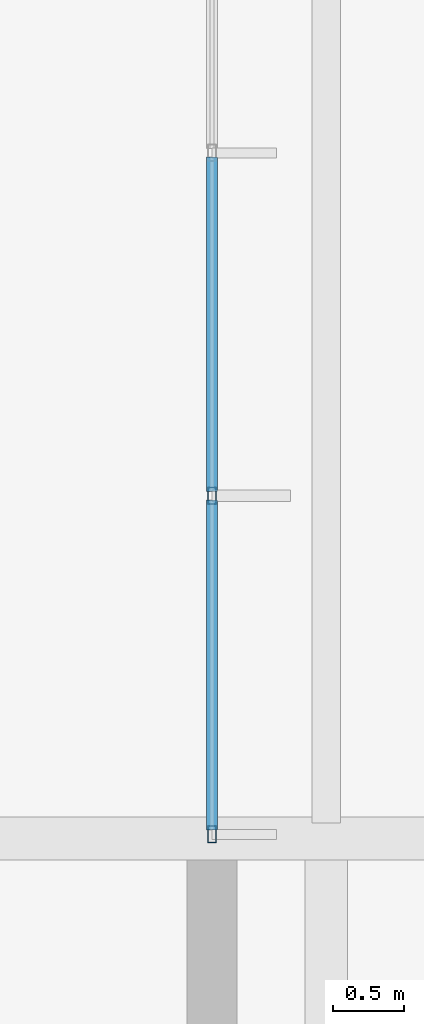
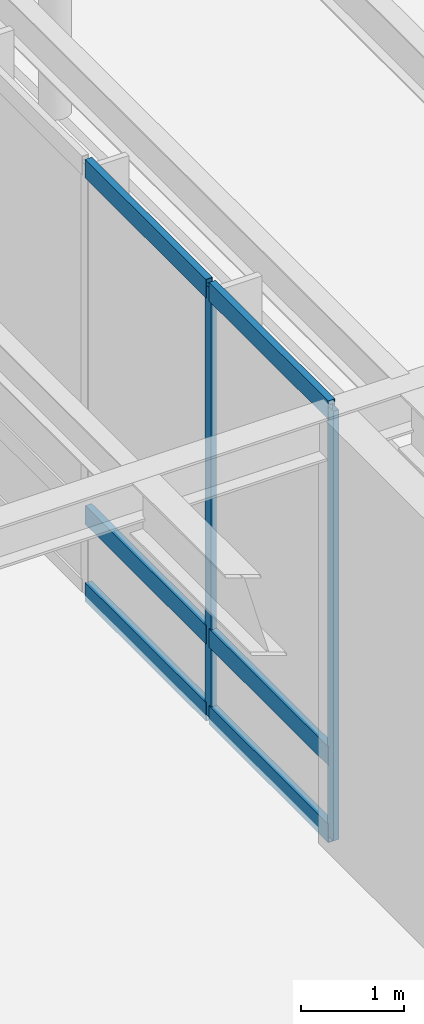
# One storey, part 40 of 143: 8 members, 1 element without a shape of its own.
"""IFC4 building model written with IfcOpenShell, lengths in metres."""

from ifc_helpers import new_model, si_unit, direction, frame, origin, origin_2d, place, context, subcontext, project, spatial, hollow_rectangle, extrude, material, layer, layer_set, material_profile, profile_set, type_object, element, aggregate, save


model = new_model("IFC4")

# Units and contexts
model_context = context("Model", 3, precision=1e-05, world=origin(), true_north=direction((0.0, 1.0)))
body_context = subcontext(model_context, "Body", "Model", "MODEL_VIEW")
ifc_project = project(units=[si_unit("LENGTHUNIT", "METRE"), si_unit("AREAUNIT", "SQUARE_METRE"), si_unit("VOLUMEUNIT", "CUBIC_METRE"), si_unit("PLANEANGLEUNIT", "RADIAN"), si_unit("MASSUNIT", "GRAM", prefix="KILO")], contexts=[model_context])

# Site, building, storey
site_placement = place(None, origin())
site = spatial("IfcSite", under=ifc_project, at=site_placement, CompositionType="ELEMENT")
building_placement = place(site_placement, origin())
building = spatial("IfcBuilding", under=site, at=building_placement, Name="Montelvaro Courts of Justice", CompositionType="ELEMENT")
storey_placement = place(building_placement, origin())
storey = spatial("IfcBuildingStorey", under=building, at=storey_placement, Name="L00", CompositionType="ELEMENT", Elevation=0.0)

# Curtain wall, members
ifc_material = material(Name="Anodised aluminium EN AW-6063", Category="aluminium")
ifc_layer = layer(ifc_material, 0.159912109375)
ifc_layer_set = layer_set([ifc_layer], Name="Anodised aluminium EN AW-6063")
curtain_wall_type = type_object("IfcCurtainWallType", Name="CurtainWall_06_1200x508", PredefinedType="USERDEFINED", material=ifc_layer_set)
curtain_wall_placement = place(storey_placement, origin())
curtain_wall = element("IfcCurtainWall", 1, at=curtain_wall_placement, inside=storey, type_object=curtain_wall_type, Name="Curtain Wall CW-06 (L00)", ObjectType="CURTAIN WALL", PredefinedType="USERDEFINED")
ifc_material_profile_1 = material_profile(ifc_material, hollow_rectangle(XDim=0.06005859375, YDim=0.1201171875, WallThickness=0.00341796875, at=origin_2d()), Name="ALU-M 60x120")
ifc_profile_set_1 = profile_set([ifc_material_profile_1], Name="Anodised aluminium EN AW-6063")
member_type_1 = type_object("IfcMemberType", Name="CurtainWall_Mullion_60x120", PredefinedType="MULLION", material=ifc_profile_set_1)
member_1_placement = place(storey_placement, frame((77.199951171875, 42.030029296875, 0.0), z_axis=(0.0, 0.0, 1.0), x_axis=(-1.0, 0.0, 0.0)))
member_1 = element("IfcMember", 2, at=member_1_placement, type_object=member_type_1, Name="CW-06 mullion 1", PredefinedType="MULLION", context=body_context, shape_type="SweptSolid", body=[
    extrude(hollow_rectangle(XDim=0.06005859375, YDim=0.1201171875, WallThickness=0.00341796875, at=origin_2d()), origin(), (0.0, 0.0, 1.0), 5.080078125),
])
member_2_placement = place(storey_placement, frame((77.199951171875, 44.39990234375, 0.0), z_axis=(0.0, 0.0, 1.0), x_axis=(-1.0, 0.0, 0.0)))
member_2 = element("IfcMember", 3, at=member_2_placement, type_object=member_type_1, Name="CW-06 mullion 2", PredefinedType="MULLION", context=body_context, shape_type="SweptSolid", body=[
    extrude(hollow_rectangle(XDim=0.06005859375, YDim=0.1201171875, WallThickness=0.00341796875, at=origin_2d()), origin(), (0.0, 0.0, 1.0), 5.080078125),
])
ifc_material_profile_2 = material_profile(ifc_material, hollow_rectangle(XDim=0.074951171875, YDim=0.219970703125, WallThickness=0.005615234375, at=origin_2d()), Name="ALU-T 75x220")
ifc_profile_set_2 = profile_set([ifc_material_profile_2], Name="Anodised aluminium EN AW-6063")
member_type_2 = type_object("IfcMemberType", Name="CurtainWall_Transom_75x220", PredefinedType="USERDEFINED", material=ifc_profile_set_2)
member_3_placement = place(storey_placement, frame((77.199951171875, 42.06005859375, 0.03759765625), z_axis=(0.0, 1.0, 0.0), x_axis=(-1.0, 0.0, 0.0)))
member_3 = element("IfcMember", 4, at=member_3_placement, type_object=member_type_2, Name="CW-06 transom 1.1", ObjectType="TRANSOM", PredefinedType="USERDEFINED", context=body_context, shape_type="SweptSolid", body=[
    extrude(hollow_rectangle(XDim=0.074951171875, YDim=0.219970703125, WallThickness=0.005615234375, at=origin_2d()), origin(), (0.0, 0.0, 1.0), 2.31005859375),
])
member_4_placement = place(storey_placement, frame((77.199951171875, 42.06005859375, 0.949951171875), z_axis=(0.0, 1.0, 0.0), x_axis=(-1.0, 0.0, 0.0)))
member_4 = element("IfcMember", 5, at=member_4_placement, type_object=member_type_2, Name="CW-06 transom 1.2", ObjectType="TRANSOM", PredefinedType="USERDEFINED", context=body_context, shape_type="SweptSolid", body=[
    extrude(hollow_rectangle(XDim=0.074951171875, YDim=0.219970703125, WallThickness=0.005615234375, at=origin_2d()), origin(), (0.0, 0.0, 1.0), 2.31005859375),
])
member_5_placement = place(storey_placement, frame((77.199951171875, 42.06005859375, 5.04248046875), z_axis=(0.0, 1.0, 0.0), x_axis=(-1.0, 0.0, 0.0)))
member_5 = element("IfcMember", 6, at=member_5_placement, type_object=member_type_2, Name="CW-06 transom 1.3", ObjectType="TRANSOM", PredefinedType="USERDEFINED", context=body_context, shape_type="SweptSolid", body=[
    extrude(hollow_rectangle(XDim=0.074951171875, YDim=0.219970703125, WallThickness=0.005615234375, at=origin_2d()), origin(), (0.0, 0.0, 1.0), 2.31005859375),
])
member_6_placement = place(storey_placement, frame((77.199951171875, 44.429931640625, 0.03759765625), z_axis=(0.0, 1.0, 0.0), x_axis=(-1.0, 0.0, 0.0)))
member_6 = element("IfcMember", 7, at=member_6_placement, type_object=member_type_2, Name="CW-06 transom 2.1", ObjectType="TRANSOM", PredefinedType="USERDEFINED", context=body_context, shape_type="SweptSolid", body=[
    extrude(hollow_rectangle(XDim=0.074951171875, YDim=0.219970703125, WallThickness=0.005615234375, at=origin_2d()), origin(), (0.0, 0.0, 1.0), 2.340087890625),
])
member_7_placement = place(storey_placement, frame((77.199951171875, 44.429931640625, 0.949951171875), z_axis=(0.0, 1.0, 0.0), x_axis=(-1.0, 0.0, 0.0)))
member_7 = element("IfcMember", 8, at=member_7_placement, type_object=member_type_2, Name="CW-06 transom 2.2", ObjectType="TRANSOM", PredefinedType="USERDEFINED", context=body_context, shape_type="SweptSolid", body=[
    extrude(hollow_rectangle(XDim=0.074951171875, YDim=0.219970703125, WallThickness=0.005615234375, at=origin_2d()), origin(), (0.0, 0.0, 1.0), 2.340087890625),
])
member_8_placement = place(storey_placement, frame((77.199951171875, 44.429931640625, 5.04248046875), z_axis=(0.0, 1.0, 0.0), x_axis=(-1.0, 0.0, 0.0)))
member_8 = element("IfcMember", 9, at=member_8_placement, type_object=member_type_2, Name="CW-06 transom 2.3", ObjectType="TRANSOM", PredefinedType="USERDEFINED", context=body_context, shape_type="SweptSolid", body=[
    extrude(hollow_rectangle(XDim=0.074951171875, YDim=0.219970703125, WallThickness=0.005615234375, at=origin_2d()), origin(), (0.0, 0.0, 1.0), 2.340087890625),
])
aggregate(curtain_wall, [member_1, member_2, member_3, member_4, member_5, member_6, member_7, member_8])

save(model, "model.ifc")
